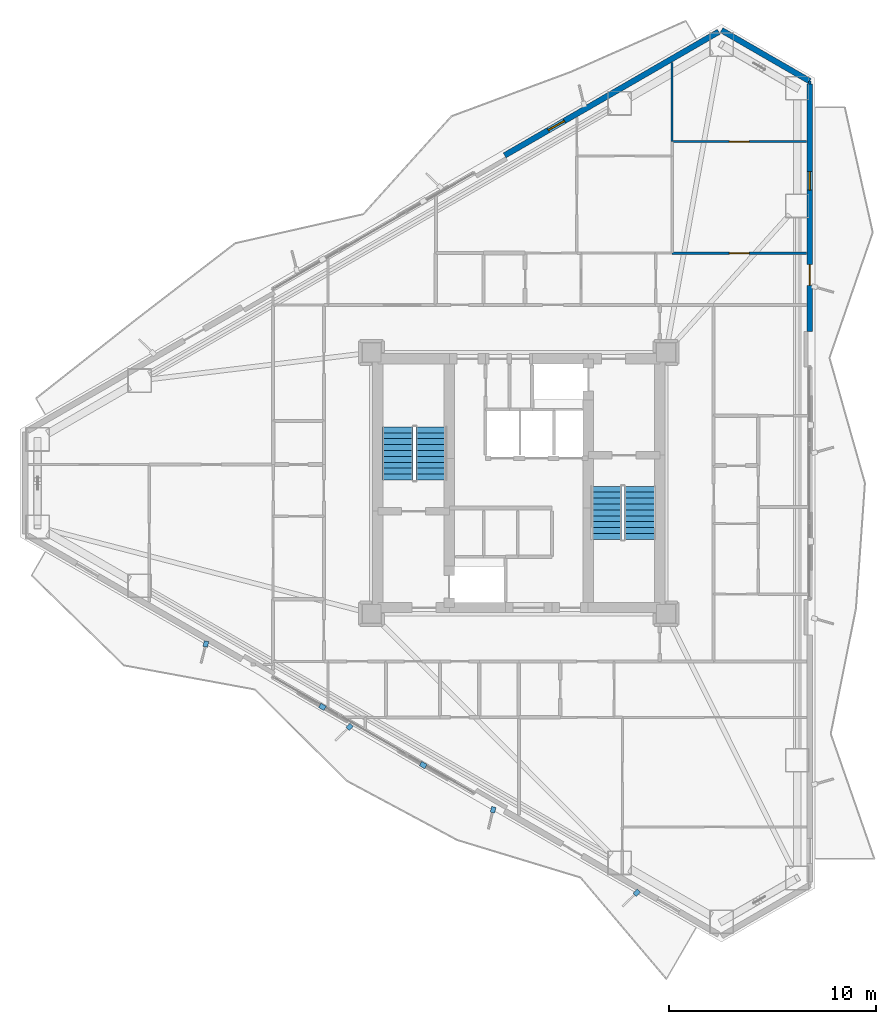
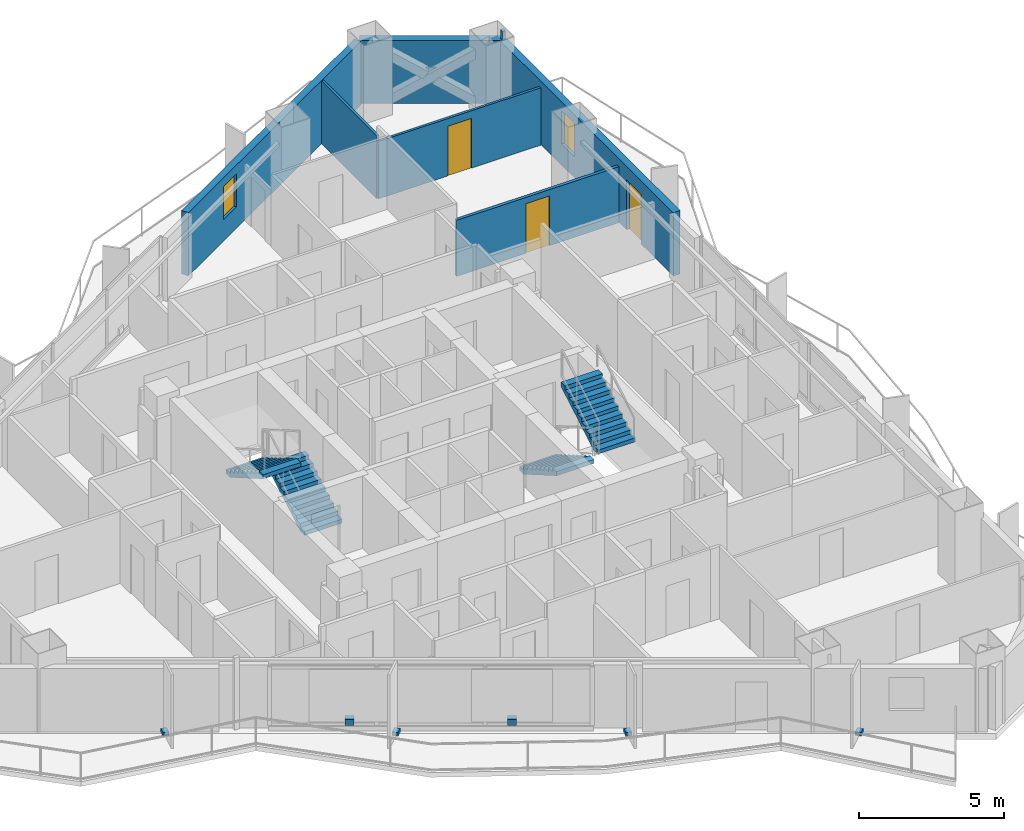
# One storey, part 20 of 23: 7 walls, 6 discrete accessories, 4 stair flights, 3 doors, 2 windows, 5 openings, 2 elements without a shape of their own.
"""IFC4 building model written with IfcOpenShell, lengths in metres."""

from ifc_helpers import new_model, si_unit, direction, frame, frame_2d, origin, origin_2d, place, context, subcontext, project, spatial, polyline, rectangle, outline, extrude, material, layer, layer_set, type_object, element, fill, aggregate, save


model = new_model("IFC4")

# Units and contexts
model_context = context("Model", 3, precision=1e-05, world=origin(), true_north=direction((0.0, 1.0)))
body_context = subcontext(model_context, "Body", "Model", "MODEL_VIEW")
ifc_project = project(units=[si_unit("LENGTHUNIT", "METRE"), si_unit("AREAUNIT", "SQUARE_METRE"), si_unit("VOLUMEUNIT", "CUBIC_METRE"), si_unit("PLANEANGLEUNIT", "RADIAN"), si_unit("MASSUNIT", "GRAM", prefix="KILO")], contexts=[model_context])

# Site, building, storey
site_placement = place(None, origin())
site = spatial("IfcSite", under=ifc_project, at=site_placement, CompositionType="ELEMENT")
building_placement = place(site_placement, origin())
building = spatial("IfcBuilding", under=site, at=building_placement, Name="Mersakhor Tower and Convention Hall", CompositionType="ELEMENT")
storey_placement = place(building_placement, frame((0.0, 0.0, 80.10009765625)))
storey = spatial("IfcBuildingStorey", under=building, at=storey_placement, Name="L21", CompositionType="ELEMENT", Elevation=80.10009765625)

# Wall
ifc_material_1 = material(Name="Precast concrete C45/55", Category="concrete")
ifc_layer_1 = layer(ifc_material_1, 0.27490234375)
ifc_layer_set_1 = layer_set([ifc_layer_1], Name="Precast concrete C45/55")
wall_type_1 = type_object("IfcWallType", Name="WL-EXT-275", PredefinedType="SOLIDWALL", material=ifc_layer_set_1)
wall_1_placement = place(storey_placement, frame((38.77880859375, 48.6015625, 0.0), z_axis=(0.0, 0.0, 1.0), x_axis=(0.866011848704, -0.500023477353, 0.0)))
element("IfcWall", 1, at=wall_1_placement, inside=storey, type_object=wall_type_1, Name="L21 Chamfer Braced Spandrel Wall C1", PredefinedType="SOLIDWALL", context=body_context, shape_type="SweptSolid", body=[
    extrude(rectangle(XDim=4.914306640625, YDim=0.27490234375, at=frame_2d((2.45703125, 0.0))), origin(), (0.0, 0.0, 1.0), 2.669921875),
])

# Wall, opening, window
wall_2_placement = place(storey_placement, frame((28.3173828125, 42.561767578125, 0.0), z_axis=(0.0, 0.0, 1.0), x_axis=(0.866023023012, 0.500004123596, 0.0)))
wall_2 = element("IfcWall", 2, at=wall_2_placement, inside=storey, type_object=wall_type_1, Name="L21 Exterior Facade Wall F1-B3", PredefinedType="SOLIDWALL", context=body_context, shape_type="SweptSolid", body=[
    extrude(rectangle(XDim=11.9296875, YDim=0.27490234375, at=frame_2d((5.96484375, 0.0))), origin(), (0.0, 0.0, 1.0), 2.669921875),
])
opening_1_placement = place(wall_2_placement, frame((2.427001953125, 0.0, 0.89990234375)))
opening_1 = element("IfcOpeningElement", 3, at=opening_1_placement, cuts=wall_2, Name="Opening W-06", PredefinedType="OPENING", context=body_context, shape_type="SweptSolid", body=[
    extrude(rectangle(XDim=0.89990234375, YDim=1.39990234375, at=frame_2d((0.449951171875, 0.699951171875))), frame((0.0, 0.1474609375, 0.0), z_axis=(0.0, -1.0, 0.0), x_axis=(1.0, 0.0, 0.0)), (0.0, 0.0, 1.0), 0.294921875),
])
ifc_material_2 = material(Name="Dark solar low-E glazed aluminium window", Category="aluminium")
window_type = type_object("IfcWindowType", Name="WN-STD-090x140", PartitioningType="SINGLE_PANEL", PredefinedType="WINDOW", material=ifc_material_2)
window_1_placement = place(opening_1_placement, origin())
window_1 = element("IfcWindow", 4, at=window_1_placement, inside=storey, type_object=window_type, Name="L21 Facade Punched Window F1-B3", OverallHeight=1.39990234375, OverallWidth=0.89990234375, PartitioningType="SINGLE_PANEL", PredefinedType="WINDOW", context=body_context, shape_type="SweptSolid", body=[
    extrude(rectangle(XDim=0.89990234375, YDim=1.39990234375, at=frame_2d((0.449951171875, 0.699951171875))), frame((0.0, 0.030029296875, 0.0), z_axis=(0.0, -1.0, 0.0), x_axis=(1.0, 0.0, 0.0)), (0.0, 0.0, 1.0), 0.06005859375),
])
fill(opening_1, window_1)

# Wall, openings, door, window
wall_3_placement = place(storey_placement, frame((43.03466796875, 45.994384765625, 0.0), z_axis=(0.0, 0.0, 1.0), x_axis=(0.0, -1.0, 0.0)))
wall_3 = element("IfcWall", 5, at=wall_3_placement, inside=storey, type_object=wall_type_1, Name="L21 Exterior Facade Wall F2-B1", PredefinedType="SOLIDWALL", context=body_context, shape_type="SweptSolid", body=[
    extrude(rectangle(XDim=11.9296875, YDim=0.27490234375, at=frame_2d((5.96484375, 0.0))), origin(), (0.0, 0.0, 1.0), 2.669921875),
])
opening_2_placement = place(wall_3_placement, frame((8.7041015625, 0.0, 0.0)))
opening_2 = element("IfcOpeningElement", 6, at=opening_2_placement, cuts=wall_3, Name="Opening BD-01", PredefinedType="OPENING", context=body_context, shape_type="SweptSolid", body=[
    extrude(rectangle(XDim=1.0, YDim=2.10009765625, at=frame_2d((0.5, 1.050048828125))), frame((0.0, 0.1474609375, 0.0), z_axis=(0.0, -1.0, 0.0), x_axis=(1.0, 0.0, 0.0)), (0.0, 0.0, 1.0), 0.294921875),
])
opening_3_placement = place(wall_3_placement, frame((4.214111328125, 0.0, 0.89990234375)))
opening_3 = element("IfcOpeningElement", 7, at=opening_3_placement, cuts=wall_3, Name="Opening W-06", PredefinedType="OPENING", context=body_context, shape_type="SweptSolid", body=[
    extrude(rectangle(XDim=0.89990234375, YDim=1.39990234375, at=frame_2d((0.449951171875, 0.699951171875))), frame((0.0, 0.1474609375, 0.0), z_axis=(0.0, -1.0, 0.0), x_axis=(1.0, 0.0, 0.0)), (0.0, 0.0, 1.0), 0.294921875),
])
ifc_material_3 = material(Name="Thermally broken dark aluminium and safety glass", Category="aluminium")
door_type_1 = type_object("IfcDoorType", Name="DR-BAL-100x210", OperationType="NOTDEFINED", PredefinedType="DOOR", material=ifc_material_3)
door_1_placement = place(opening_2_placement, origin())
door_1 = element("IfcDoor", 8, at=door_1_placement, inside=storey, type_object=door_type_1, Name="L21 Balcony Terrace Door F2-B1", OperationType="SINGLE_SWING_LEFT", OverallHeight=2.10009765625, OverallWidth=1.0, PredefinedType="DOOR", context=body_context, shape_type="SweptSolid", body=[
    extrude(rectangle(XDim=1.0, YDim=2.10009765625, at=frame_2d((0.5, 1.050048828125))), frame((0.0, 0.02490234375, 0.0), z_axis=(0.0, -1.0, 0.0), x_axis=(1.0, 0.0, 0.0)), (0.0, 0.0, 1.0), 0.050048828125),
])
fill(opening_2, door_1)
window_2_placement = place(opening_3_placement, origin())
window_2 = element("IfcWindow", 9, at=window_2_placement, inside=storey, type_object=window_type, Name="L21 Bedroom Facade Window F2-B1-1", OverallHeight=1.39990234375, OverallWidth=0.89990234375, PartitioningType="SINGLE_PANEL", PredefinedType="WINDOW", context=body_context, shape_type="SweptSolid", body=[
    extrude(rectangle(XDim=0.89990234375, YDim=1.39990234375, at=frame_2d((0.449951171875, 0.699951171875))), frame((0.0, 0.030029296875, 0.0), z_axis=(0.0, -1.0, 0.0), x_axis=(1.0, 0.0, 0.0)), (0.0, 0.0, 1.0), 0.06005859375),
])
fill(opening_3, window_2)

# Wall
ifc_material_4 = material(Name="Lightweight gypsum partition", Category="other")
ifc_layer_2 = layer(ifc_material_4, 0.10009765625)
ifc_layer_set_2 = layer_set([ifc_layer_2], Name="Lightweight gypsum partition")
wall_type_2 = type_object("IfcWallType", Name="WL-PRT-100", PredefinedType="PARTITIONING", material=ifc_layer_set_2)
wall_4_placement = place(storey_placement, frame((36.39990234375, 47.041748046875, 0.0), z_axis=(0.0, 0.0, 1.0), x_axis=(0.0, -1.0, 0.0)))
element("IfcWall", 10, at=wall_4_placement, inside=storey, type_object=wall_type_2, Name="L21 Interior Partition Wall P-116", PredefinedType="PARTITIONING", context=body_context, shape_type="SweptSolid", body=[
    extrude(rectangle(XDim=3.811767578125, YDim=0.10009765625, at=frame_2d((1.90576171875, 0.0))), origin(), (0.0, 0.0, 1.0), 2.660400390625),
])

# Wall, opening, door
wall_5_placement = place(storey_placement, frame((36.39990234375, 43.22998046875, 0.0), z_axis=(0.0, 0.0, 1.0), x_axis=(1.0, 0.0, 0.0)))
wall_5 = element("IfcWall", 11, at=wall_5_placement, inside=storey, type_object=wall_type_2, Name="L21 Interior Partition Wall P-118", PredefinedType="PARTITIONING", context=body_context, shape_type="SweptSolid", body=[
    extrude(rectangle(XDim=6.47314453125, YDim=0.10009765625, at=frame_2d((3.236572265625, 0.0))), origin(), (0.0, 0.0, 1.0), 2.422607421875),
])
opening_4_placement = place(wall_5_placement, frame((2.76171875, 0.0, 0.0)))
opening_4 = element("IfcOpeningElement", 12, at=opening_4_placement, cuts=wall_5, Name="Opening RD-01", PredefinedType="OPENING", context=body_context, shape_type="SweptSolid", body=[
    extrude(rectangle(XDim=0.949951171875, YDim=2.10009765625, at=frame_2d((0.47509765625, 1.050048828125))), frame((0.0, 0.06005859375, 0.0), z_axis=(0.0, -1.0, 0.0), x_axis=(1.0, 0.0, 0.0)), (0.0, 0.0, 1.0), 0.1201171875),
])
ifc_material_5 = material(Name="Solid-core hardwood leaf in painted steel frame", Category="steel")
door_type_2 = type_object("IfcDoorType", Name="DR-INT-RM-095x210", OperationType="NOTDEFINED", PredefinedType="DOOR", material=ifc_material_5)
door_2_placement = place(opening_4_placement, origin())
door_2 = element("IfcDoor", 13, at=door_2_placement, inside=storey, type_object=door_type_2, Name="L21 L21 Flat N1 Bedroom 2 to L21 Flat N1 Study Room Door", OperationType="SINGLE_SWING_RIGHT", OverallHeight=2.10009765625, OverallWidth=0.949951171875, PredefinedType="DOOR", context=body_context, shape_type="SweptSolid", body=[
    extrude(rectangle(XDim=0.949951171875, YDim=2.10009765625, at=frame_2d((0.47509765625, 1.050048828125))), frame((0.0, 0.02490234375, 0.0), z_axis=(0.0, -1.0, 0.0), x_axis=(1.0, 0.0, 0.0)), (0.0, 0.0, 1.0), 0.050048828125),
])
fill(opening_4, door_2)

ifc_material_6 = material(Name="Gypsum board acoustic partition", Category="other")
ifc_layer_3 = layer(ifc_material_6, 0.125)
ifc_layer_set_3 = layer_set([ifc_layer_3], Name="Gypsum board acoustic partition")
wall_type_3 = type_object("IfcWallType", Name="WL-PRT-125", PredefinedType="PARTITIONING", material=ifc_layer_set_3)
wall_6_placement = place(storey_placement, frame((36.39990234375, 37.85009765625, 0.0), z_axis=(0.0, 0.0, 1.0), x_axis=(1.0, 0.0, 0.0)))
wall_6 = element("IfcWall", 14, at=wall_6_placement, inside=storey, type_object=wall_type_3, Name="L21 Interior Partition Wall P-111", PredefinedType="PARTITIONING", context=body_context, shape_type="SweptSolid", body=[
    extrude(rectangle(XDim=6.47314453125, YDim=0.125, at=frame_2d((3.236572265625, 0.0))), origin(), (0.0, 0.0, 1.0), 2.364990234375),
])
opening_5_placement = place(wall_6_placement, frame((2.76171875, 0.0, 0.0)))
opening_5 = element("IfcOpeningElement", 15, at=opening_5_placement, cuts=wall_6, Name="Opening RD-01", PredefinedType="OPENING", context=body_context, shape_type="SweptSolid", body=[
    extrude(rectangle(XDim=0.949951171875, YDim=2.10009765625, at=frame_2d((0.47509765625, 1.050048828125))), frame((0.0, 0.072509765625, 0.0), z_axis=(0.0, -1.0, 0.0), x_axis=(1.0, 0.0, 0.0)), (0.0, 0.0, 1.0), 0.14501953125),
])
door_3_placement = place(opening_5_placement, origin())
door_3 = element("IfcDoor", 16, at=door_3_placement, inside=storey, type_object=door_type_2, Name="L21 L21 Flat N1 Study Room to L21 Flat N1 Bedroom 2 Door", OperationType="SINGLE_SWING_RIGHT", OverallHeight=2.10009765625, OverallWidth=0.949951171875, PredefinedType="DOOR", context=body_context, shape_type="SweptSolid", body=[
    extrude(rectangle(XDim=0.949951171875, YDim=2.10009765625, at=frame_2d((0.47509765625, 1.050048828125))), frame((0.0, 0.02490234375, 0.0), z_axis=(0.0, -1.0, 0.0), x_axis=(1.0, 0.0, 0.0)), (0.0, 0.0, 1.0), 0.050048828125),
])
fill(opening_5, door_3)

# Wall
wall_7_placement = place(storey_placement, frame((43.034912109375, 46.14404296875, 0.0), z_axis=(0.0, 0.0, 1.0), x_axis=(0.0, -1.0, 0.0)))
element("IfcWall", 17, at=wall_7_placement, inside=storey, type_object=wall_type_3, Name="L21 Interior Partition Wall P-119", PredefinedType="PARTITIONING", context=body_context, shape_type="SweptSolid", body=[
    extrude(rectangle(XDim=0.149658203125, YDim=0.125, at=frame_2d((0.07470703125, 0.0))), origin(), (0.0, 0.0, 1.0), 3.0498046875),
])

# Stair, stair flights
ifc_material_7 = material(Name="Concrete C45/55", Category="concrete")
stair_type = type_object("IfcStairType", Name="ST-TWR-20R", PredefinedType="HALF_TURN_STAIR", material=ifc_material_7)
stair_1_placement = place(storey_placement, origin())
stair_1 = element("IfcStair", 18, at=stair_1_placement, inside=storey, type_object=stair_type, Name="L21 Tower Protected Exit Stair ST-1", PredefinedType="HALF_TURN_STAIR")
ifc_material_8 = material(Name="Concrete C45/55", Category="concrete")
stair_flight_type = type_object("IfcStairFlightType", Name="SFL-TWR-20R", PredefinedType="STRAIGHT", material=ifc_material_8)
stair_flight_1_placement = place(storey_placement, frame((24.800048828125, 26.89990234375, 0.0), z_axis=(0.0, 0.0, 1.0), x_axis=(0.0, 1.0, 0.0)))
stair_flight_1 = element("IfcStairFlight", 19, at=stair_flight_1_placement, type_object=stair_flight_type, Name="ST-1 flight 1", NumberOfRisers=10, NumberOfTreads=9, PredefinedType="STRAIGHT", RiserHeight=0.165, TreadLength=0.285, context=body_context, shape_type="SweptSolid", body=[
    extrude(outline(polyline([(0.0, 0.0), (0.0, 0.1650390625), (0.284912109375, 0.1650390625), (0.284912109375, 0.330078125), (0.570068359375, 0.330078125), (0.570068359375, 0.4951171875), (0.85498046875, 0.4951171875), (0.85498046875, 0.659912109375), (1.139892578125, 0.659912109375), (1.139892578125, 0.824951171875), (1.425048828125, 0.824951171875), (1.425048828125, 0.989990234375), (1.7099609375, 0.989990234375), (1.7099609375, 1.155029296875), (1.9951171875, 1.155029296875), (1.9951171875, 1.320068359375), (2.280029296875, 1.320068359375), (2.280029296875, 1.485107421875), (2.56494140625, 1.485107421875), (2.56494140625, 1.64990234375), (2.56494140625, 1.311767578125), (0.299072265625, 0.0), (0.0, 0.0)])), frame((0.0, 0.75, 0.0), z_axis=(0.0, -1.0, 0.0), x_axis=(1.0, 0.0, 0.0)), (0.0, 0.0, 1.0), 1.5),
])
stair_flight_2_placement = place(storey_placement, frame((23.14990234375, 29.465087890625, 1.64990234375), z_axis=(0.0, 0.0, 1.0), x_axis=(0.0, -1.0, 0.0)))
stair_flight_2 = element("IfcStairFlight", 20, at=stair_flight_2_placement, type_object=stair_flight_type, Name="ST-1 flight 2", NumberOfRisers=10, NumberOfTreads=9, PredefinedType="STRAIGHT", RiserHeight=0.165, TreadLength=0.285, context=body_context, shape_type="SweptSolid", body=[
    extrude(outline(polyline([(0.0, 0.0), (0.0, 0.1650390625), (0.284912109375, 0.1650390625), (0.284912109375, 0.330078125), (0.570068359375, 0.330078125), (0.570068359375, 0.4951171875), (0.85498046875, 0.4951171875), (0.85498046875, 0.659912109375), (1.139892578125, 0.659912109375), (1.139892578125, 0.824951171875), (1.425048828125, 0.824951171875), (1.425048828125, 0.989990234375), (1.7099609375, 0.989990234375), (1.7099609375, 1.155029296875), (1.9951171875, 1.155029296875), (1.9951171875, 1.320068359375), (2.280029296875, 1.320068359375), (2.280029296875, 1.485107421875), (2.56494140625, 1.485107421875), (2.56494140625, 1.64990234375), (2.56494140625, 1.311767578125), (0.299072265625, 0.0), (0.0, 0.0)])), frame((0.0, 0.75, 0.0), z_axis=(0.0, -1.0, 0.0), x_axis=(1.0, 0.0, 0.0)), (0.0, 0.0, 1.0), 1.5),
])
aggregate(stair_1, [stair_flight_1, stair_flight_2])

stair_2_placement = place(storey_placement, origin())
stair_2 = element("IfcStair", 21, at=stair_2_placement, inside=storey, type_object=stair_type, Name="L21 Tower Protected Exit Stair ST-2", PredefinedType="HALF_TURN_STAIR")
stair_flight_3_placement = place(storey_placement, frame((33.199951171875, 26.60009765625, 0.0), z_axis=(0.0, 0.0, 1.0), x_axis=(0.0, -1.0, 0.0)))
stair_flight_3 = element("IfcStairFlight", 22, at=stair_flight_3_placement, type_object=stair_flight_type, Name="ST-2 flight 1", NumberOfRisers=10, NumberOfTreads=9, PredefinedType="STRAIGHT", RiserHeight=0.165, TreadLength=0.285, context=body_context, shape_type="SweptSolid", body=[
    extrude(outline(polyline([(0.0, 0.0), (0.0, 0.1650390625), (0.284912109375, 0.1650390625), (0.284912109375, 0.330078125), (0.570068359375, 0.330078125), (0.570068359375, 0.4951171875), (0.85498046875, 0.4951171875), (0.85498046875, 0.659912109375), (1.139892578125, 0.659912109375), (1.139892578125, 0.824951171875), (1.425048828125, 0.824951171875), (1.425048828125, 0.989990234375), (1.7099609375, 0.989990234375), (1.7099609375, 1.155029296875), (1.9951171875, 1.155029296875), (1.9951171875, 1.320068359375), (2.280029296875, 1.320068359375), (2.280029296875, 1.485107421875), (2.56494140625, 1.485107421875), (2.56494140625, 1.64990234375), (2.56494140625, 1.311767578125), (0.299072265625, 0.0), (0.0, 0.0)])), frame((0.0, 0.75, 0.0), z_axis=(0.0, -1.0, 0.0), x_axis=(1.0, 0.0, 0.0)), (0.0, 0.0, 1.0), 1.5),
])
stair_flight_4_placement = place(storey_placement, frame((34.85009765625, 24.034912109375, 1.64990234375), z_axis=(0.0, 0.0, 1.0), x_axis=(0.0, 1.0, 0.0)))
stair_flight_4 = element("IfcStairFlight", 23, at=stair_flight_4_placement, type_object=stair_flight_type, Name="ST-2 flight 2", NumberOfRisers=10, NumberOfTreads=9, PredefinedType="STRAIGHT", RiserHeight=0.165, TreadLength=0.285, context=body_context, shape_type="SweptSolid", body=[
    extrude(outline(polyline([(0.0, 0.0), (0.0, 0.1650390625), (0.284912109375, 0.1650390625), (0.284912109375, 0.330078125), (0.570068359375, 0.330078125), (0.570068359375, 0.4951171875), (0.85498046875, 0.4951171875), (0.85498046875, 0.659912109375), (1.139892578125, 0.659912109375), (1.139892578125, 0.824951171875), (1.425048828125, 0.824951171875), (1.425048828125, 0.989990234375), (1.7099609375, 0.989990234375), (1.7099609375, 1.155029296875), (1.9951171875, 1.155029296875), (1.9951171875, 1.320068359375), (2.280029296875, 1.320068359375), (2.280029296875, 1.485107421875), (2.56494140625, 1.485107421875), (2.56494140625, 1.64990234375), (2.56494140625, 1.311767578125), (0.299072265625, 0.0), (0.0, 0.0)])), frame((0.0, 0.75, 0.0), z_axis=(0.0, -1.0, 0.0), x_axis=(1.0, 0.0, 0.0)), (0.0, 0.0, 1.0), 1.5),
])
aggregate(stair_2, [stair_flight_3, stair_flight_4])

# Discrete accessories
ifc_material_9 = material(Name="Galvanised steel bracket", Category="steel")
ifc_layer_4 = layer(ifc_material_9, 0.02001953125)
ifc_layer_set_4 = layer_set([ifc_layer_4], Name="Galvanised steel bracket")
discrete_accessory_type = type_object("IfcDiscreteAccessoryType", Name="ACC-BRK-STL", PredefinedType="BRACKET", material=ifc_layer_set_4)
for number, where, z_axis, x_axis, name in (
    (24, (24.388916015625, 13.148681640625, 0.2900390625), (0.0, 0.0, 1.0), (-0.866025403784, 0.5, 0.0), "L21 Solar Screen Outrigger Bracket BRK-3-1"),
    (25, (19.526611328125, 15.9560546875, 0.2900390625), (0.0, 0.0, 1.0), (-0.866025403784, 0.5, 0.0), "L21 Solar Screen Outrigger Bracket BRK-3-2"),
):
    element("IfcDiscreteAccessory", number, at=place(storey_placement, frame(where, z_axis=z_axis, x_axis=x_axis)), inside=storey, type_object=discrete_accessory_type, Name=name, PredefinedType="BRACKET", context=body_context, shape_type="SweptSolid", body=[
        extrude(rectangle(XDim=0.300048828125, YDim=0.239990234375, at=origin_2d()), origin(), (0.0, 0.0, 1.0), 0.260009765625),
    ])
for number, where, z_axis, x_axis, name in (
    (26, (34.689453125, 6.993896484375, -0.02001953125), (0.0, 0.0, 1.0), (-0.719339800339, -0.694658370459, 0.0), "L21 Facade Fin Base Cleat Bracket FBRK-3-1"),
    (27, (27.76123046875, 10.993896484375, -0.02001953125), (0.0, 0.0, 1.0), (-0.2419218956, -0.970295726276, 0.0), "L21 Facade Fin Base Cleat Bracket FBRK-3-2"),
    (28, (20.8330078125, 14.993896484375, -0.02001953125), (0.0, 0.0, 1.0), (-0.719339800339, -0.694658370459, 0.0), "L21 Facade Fin Base Cleat Bracket FBRK-3-3"),
    (29, (13.90478515625, 18.993896484375, -0.02001953125), (0.0, 0.0, 1.0), (-0.2419218956, -0.970295726276, 0.0), "L21 Facade Fin Base Cleat Bracket FBRK-3-4"),
):
    element("IfcDiscreteAccessory", number, at=place(storey_placement, frame(where, z_axis=z_axis, x_axis=x_axis)), inside=storey, type_object=discrete_accessory_type, Name=name, PredefinedType="BRACKET", context=body_context, shape_type="SweptSolid", body=[
        extrude(rectangle(XDim=0.280029296875, YDim=0.219970703125, at=origin_2d()), origin(), (0.0, 0.0, 1.0), 0.159912109375),
    ])

save(model, "model.ifc")
